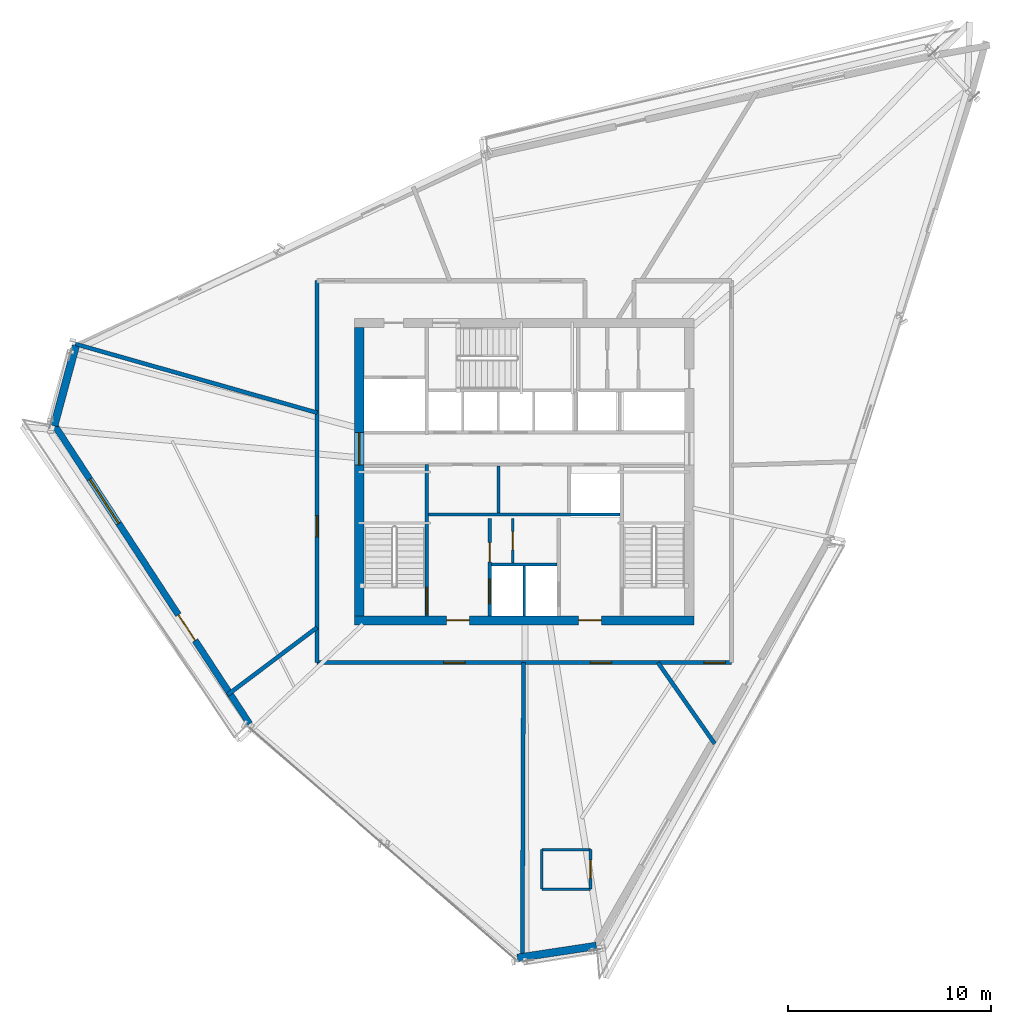
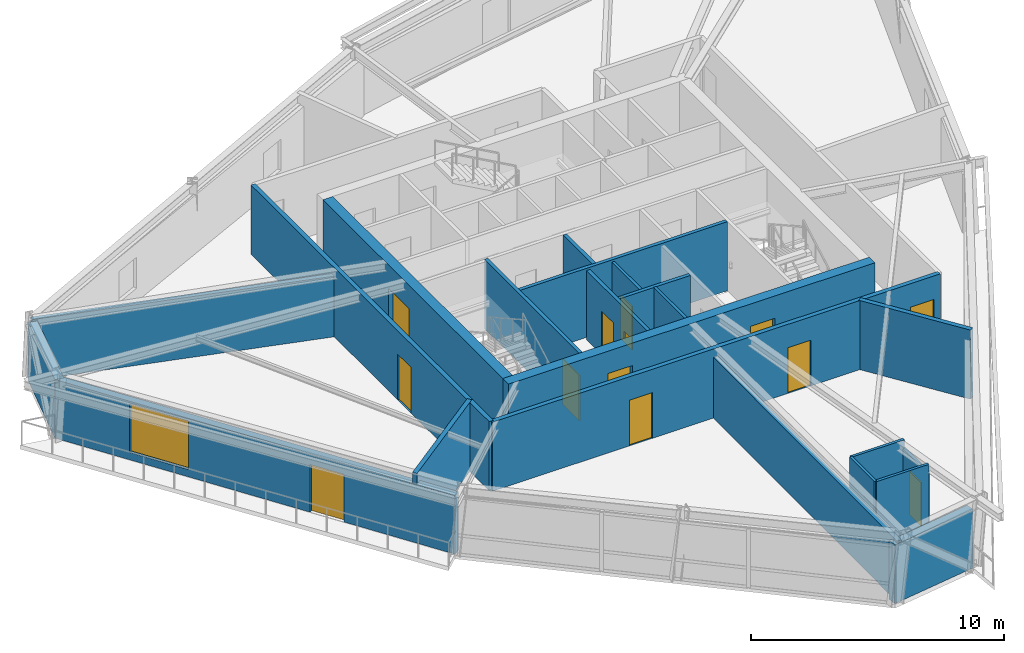
# One storey, part 8 of 13: 22 walls, 13 doors, 1 window, 14 openings.
"""IFC4 building model written with IfcOpenShell, lengths in metres."""

from ifc_helpers import new_model, si_unit, direction, frame, frame_2d, origin, place, context, subcontext, project, spatial, rectangle, extrude, source, transform, mapped, material, layer, layer_set, type_object, type_shapes, element, fill, save


model = new_model("IFC4")

# Units and contexts
model_context = context("Model", 3, precision=1e-05, world=origin(), true_north=direction((0.0, 1.0)))
body_context = subcontext(model_context, "Body", "Model", "MODEL_VIEW")
ifc_project = project(units=[si_unit("LENGTHUNIT", "METRE"), si_unit("AREAUNIT", "SQUARE_METRE"), si_unit("VOLUMEUNIT", "CUBIC_METRE"), si_unit("PLANEANGLEUNIT", "RADIAN"), si_unit("MASSUNIT", "GRAM", prefix="KILO")], contexts=[model_context])

# Site, building, storey
site_placement = place(None, origin())
site = spatial("IfcSite", under=ifc_project, at=site_placement, CompositionType="ELEMENT")
building_placement = place(site_placement, origin())
building = spatial("IfcBuilding", under=site, at=building_placement, Name="Olszyna Solenne Hotel", CompositionType="ELEMENT")
storey_placement = place(building_placement, frame((0.0, 0.0, 209.60009765625)))
storey = spatial("IfcBuildingStorey", under=building, at=storey_placement, Name="L55", CompositionType="ELEMENT", Elevation=209.60009765625)

# Wall, openings, doors
ifc_material_1 = material(Name="Concrete C50/60", Category="concrete")
ifc_layer_1 = layer(ifc_material_1, 0.449951171875, Name="Concrete C50/60")
ifc_layer_set_1 = layer_set([ifc_layer_1], Name="Concrete C50/60")
wall_type_1 = type_object("IfcWallType", Name="WL-CR450", PredefinedType="SHEAR", material=ifc_layer_set_1)
wall_1_placement = place(storey_placement, frame((46.35009765625, 19.27490234375, 0.0), z_axis=(0.0, 0.0, 1.0), x_axis=(-1.0, 0.0, 0.0)))
wall_1 = element("IfcWall", 1, at=wall_1_placement, inside=storey, type_object=wall_type_1, Name="Core shear wall WL-CR450 CRW-L55-S", PredefinedType="SHEAR", context=body_context, shape_type="SweptSolid", body=[
    extrude(rectangle(XDim=16.7001953125, YDim=0.449951171875, at=frame_2d((8.35009765625, 0.0))), origin(), (0.0, 0.0, 1.0), 3.329833984375),
])
opening_1_placement = place(wall_1_placement, frame((4.550048828125, 0.0, 0.0)))
opening_1 = element("IfcOpeningElement", 2, at=opening_1_placement, cuts=wall_1, Name="Opening FL-L55-1", PredefinedType="OPENING", context=body_context, shape_type="SweptSolid", body=[
    extrude(rectangle(XDim=1.1201171875, YDim=2.25, at=frame_2d((0.56005859375, 1.125))), frame((0.0, 0.23486328125, 0.0), z_axis=(0.0, -1.0, 0.0), x_axis=(1.0, 0.0, 0.0)), (0.0, 0.0, 1.0), 0.469970703125),
])
opening_2_placement = place(wall_1_placement, frame((11.050048828125, 0.0, 0.0)))
opening_2 = element("IfcOpeningElement", 3, at=opening_2_placement, cuts=wall_1, Name="Opening FL-L55-2", PredefinedType="OPENING", context=body_context, shape_type="SweptSolid", body=[
    extrude(rectangle(XDim=1.1201171875, YDim=2.25, at=frame_2d((0.56005859375, 1.125))), frame((0.0, 0.23486328125, 0.0), z_axis=(0.0, -1.0, 0.0), x_axis=(1.0, 0.0, 0.0)), (0.0, 0.0, 1.0), 0.469970703125),
])
ifc_material_2 = material(Name="Steel S355J2", Category="steel")
door_type_1 = type_object("IfcDoorType", Name="DR-FL1", OperationType="NOTDEFINED", PredefinedType="DOOR", material=ifc_material_2)
shared_shape_1 = source(origin(), body_context, "Body", "SweptSolid", [
    extrude(rectangle(XDim=1.1201171875, YDim=2.25, at=frame_2d((0.56005859375, 1.125))), frame((0.0, 0.02490234375, 0.0), z_axis=(0.0, -1.0, 0.0), x_axis=(1.0, 0.0, 0.0)), (0.0, 0.0, 1.0), 0.050048828125),
])
type_shapes(door_type_1, [shared_shape_1])
door_1_placement = place(opening_1_placement, origin())
door_1 = element("IfcDoor", 4, at=door_1_placement, inside=storey, type_object=door_type_1, Name="Firefighting lift lobby smoke door FL-L55-1", OperationType="SINGLE_SWING_LEFT", OverallHeight=2.25, OverallWidth=1.1201171875, PredefinedType="DOOR", context=body_context, shape_type="MappedRepresentation", body=[
    mapped(shared_shape_1, transform((0.0, 0.0, 0.0), x_axis=(1.0, 0.0, 0.0), y_axis=(0.0, 1.0, 0.0), z_axis=(0.0, 0.0, 1.0), scale=1.0)),
])
fill(opening_1, door_1)
door_2_placement = place(opening_2_placement, origin())
door_2 = element("IfcDoor", 5, at=door_2_placement, inside=storey, type_object=door_type_1, Name="Firefighting lift lobby smoke door FL-L55-2", OperationType="SINGLE_SWING_RIGHT", OverallHeight=2.25, OverallWidth=1.1201171875, PredefinedType="DOOR", context=body_context, shape_type="MappedRepresentation", body=[
    mapped(shared_shape_1, transform((0.0, 0.0, 0.0), x_axis=(1.0, 0.0, 0.0), y_axis=(0.0, 1.0, 0.0), z_axis=(0.0, 0.0, 1.0), scale=1.0)),
])
fill(opening_2, door_2)

# Wall, opening, door
wall_2_placement = place(storey_placement, frame((29.875, 19.5, 0.0), z_axis=(0.0, 0.0, 1.0), x_axis=(0.0, 1.0, 0.0)))
wall_2 = element("IfcWall", 6, at=wall_2_placement, inside=storey, type_object=wall_type_1, Name="Core shear wall WL-CR450 CRW-L55-W", PredefinedType="SHEAR", context=body_context, shape_type="SweptSolid", body=[
    extrude(rectangle(XDim=14.199951171875, YDim=0.449951171875, at=frame_2d((7.10009765625, 0.0))), origin(), (0.0, 0.0, 1.0), 3.329833984375),
])
opening_3_placement = place(wall_2_placement, frame((7.419921875, 0.0, 0.0)))
opening_3 = element("IfcOpeningElement", 7, at=opening_3_placement, cuts=wall_2, Name="Opening LHD-L55-W", PredefinedType="OPENING", context=body_context, shape_type="SweptSolid", body=[
    extrude(rectangle(XDim=1.60009765625, YDim=2.199951171875, at=frame_2d((0.800048828125, 1.10009765625))), frame((0.0, 0.23486328125, 0.0), z_axis=(0.0, -1.0, 0.0), x_axis=(1.0, 0.0, 0.0)), (0.0, 0.0, 1.0), 0.469970703125),
])
ifc_material_3 = material(Name="Timber hardwood", Category="wood")
door_type_2 = type_object("IfcDoorType", Name="DR-CR1", OperationType="DOUBLE_DOOR_SINGLE_SWING", PredefinedType="DOOR", material=ifc_material_3)
shared_shape_2 = source(origin(), body_context, "Body", "SweptSolid", [
    extrude(rectangle(XDim=1.60009765625, YDim=2.199951171875, at=frame_2d((0.800048828125, 1.10009765625))), frame((0.0, 0.02490234375, 0.0), z_axis=(0.0, -1.0, 0.0), x_axis=(1.0, 0.0, 0.0)), (0.0, 0.0, 1.0), 0.050048828125),
])
type_shapes(door_type_2, [shared_shape_2])
door_3_placement = place(opening_3_placement, origin())
door_3 = element("IfcDoor", 8, at=door_3_placement, inside=storey, type_object=door_type_2, Name="Passenger lift lobby West fire door LHD-L55-W", OperationType="DOUBLE_DOOR_SINGLE_SWING", OverallHeight=2.199951171875, OverallWidth=1.60009765625, PredefinedType="DOOR", context=body_context, shape_type="MappedRepresentation", body=[
    mapped(shared_shape_2, transform((0.0, 0.0, 0.0), x_axis=(1.0, 0.0, 0.0), y_axis=(0.0, 1.0, 0.0), z_axis=(0.0, 0.0, 1.0), scale=1.0)),
])
fill(opening_3, door_3)

# Wall, openings, door, window
ifc_material_4 = material(Name="Precast concrete C45/55", Category="concrete")
ifc_layer_2 = layer(ifc_material_4, 0.320068359375, Name="Precast concrete C45/55")
ifc_layer_set_2 = layer_set([ifc_layer_2], Name="Precast concrete C45/55")
wall_type_2 = type_object("IfcWallType", Name="WL-EX320", PredefinedType="SOLIDWALL", material=ifc_layer_set_2)
wall_3_placement = place(storey_placement, frame((24.481201171875, 14.176025390625, 0.0), z_axis=(0.0, 0.0, 1.0), x_axis=(-0.546955288252, 0.837161819873, 0.0)))
wall_3 = element("IfcWall", 9, at=wall_3_placement, inside=storey, type_object=wall_type_2, Name="Exterior terracotta-precast frame wall WL-EX320 EW-L55-04", PredefinedType="SOLIDWALL", context=body_context, shape_type="SweptSolid", body=[
    extrude(rectangle(XDim=17.695068359375, YDim=0.320068359375, at=frame_2d((8.84765625, 0.0))), origin(), (0.0, 0.0, 1.0), 2.822021484375),
])
opening_4_placement = place(wall_3_placement, frame((4.912109375, 0.0, 0.0)))
opening_4 = element("IfcOpeningElement", 10, at=opening_4_placement, cuts=wall_3, Name="Opening LDG-L55-2", PredefinedType="OPENING", context=body_context, shape_type="SweptSolid", body=[
    extrude(rectangle(XDim=1.5, YDim=2.300048828125, at=frame_2d((0.75, 1.14990234375))), frame((0.0, 0.169921875, 0.0), z_axis=(0.0, -1.0, 0.0), x_axis=(1.0, 0.0, 0.0)), (0.0, 0.0, 1.0), 0.340087890625),
])
opening_5_placement = place(wall_3_placement, frame((11.7939453125, 0.0, 0.35205078125)))
opening_5 = element("IfcOpeningElement", 11, at=opening_5_placement, cuts=wall_3, Name="Opening WN-L55-351", PredefinedType="OPENING", context=body_context, shape_type="SweptSolid", body=[
    extrude(rectangle(XDim=2.60009765625, YDim=2.35009765625, at=frame_2d((1.300048828125, 1.175048828125))), frame((0.0, 0.169921875, 0.0), z_axis=(0.0, -1.0, 0.0), x_axis=(1.0, 0.0, 0.0)), (0.0, 0.0, 1.0), 0.340087890625),
])
ifc_material_5 = material(Name="Anodised bronze aluminium", Category="aluminium")
door_type_3 = type_object("IfcDoorType", Name="DR-LG2", OperationType="DOUBLE_DOOR_SINGLE_SWING", PredefinedType="DOOR", material=ifc_material_5)
shared_shape_3 = source(origin(), body_context, "Body", "SweptSolid", [
    extrude(rectangle(XDim=1.5, YDim=2.300048828125, at=frame_2d((0.75, 1.14990234375))), frame((0.0, 0.02490234375, 0.0), z_axis=(0.0, -1.0, 0.0), x_axis=(1.0, 0.0, 0.0)), (0.0, 0.0, 1.0), 0.050048828125),
])
type_shapes(door_type_3, [shared_shape_3])
door_4_placement = place(opening_4_placement, origin())
door_4 = element("IfcDoor", 12, at=door_4_placement, inside=storey, type_object=door_type_3, Name="Exterior loggia balcony door DR-LG2 LDG-L55-2", OperationType="DOUBLE_DOOR_SINGLE_SWING", OverallHeight=2.300048828125, OverallWidth=1.5, PredefinedType="DOOR", context=body_context, shape_type="MappedRepresentation", body=[
    mapped(shared_shape_3, transform((0.0, 0.0, 0.0), x_axis=(1.0, 0.0, 0.0), y_axis=(0.0, 1.0, 0.0), z_axis=(0.0, 0.0, 1.0), scale=1.0)),
])
fill(opening_4, door_4)
ifc_material_6 = material(Name="Low-E triple glazing", Category="glass")
window_type = type_object("IfcWindowType", Name="WN-ST1", PartitioningType="SINGLE_PANEL", PredefinedType="WINDOW", material=ifc_material_6)
shared_shape_4 = source(origin(), body_context, "Body", "SweptSolid", [
    extrude(rectangle(XDim=2.60009765625, YDim=2.35009765625, at=frame_2d((1.300048828125, 1.175048828125))), frame((0.0, 0.030029296875, 0.0), z_axis=(0.0, -1.0, 0.0), x_axis=(1.0, 0.0, 0.0)), (0.0, 0.0, 1.0), 0.06005859375),
])
type_shapes(window_type, [shared_shape_4])
window_placement = place(opening_5_placement, origin())
window = element("IfcWindow", 13, at=window_placement, inside=storey, type_object=window_type, Name="Loggia room window WN-ST1 WN-L55-351", OverallHeight=2.35009765625, OverallWidth=2.60009765625, PartitioningType="SINGLE_PANEL", PredefinedType="WINDOW", context=body_context, shape_type="MappedRepresentation", body=[
    mapped(shared_shape_4, transform((0.0, 0.0, 0.0), x_axis=(1.0, 0.0, 0.0), y_axis=(0.0, 1.0, 0.0), z_axis=(0.0, 0.0, 1.0), scale=1.0)),
])
fill(opening_5, window)

# Walls
ifc_material_7 = material(Name="Terracotta cladding on precast concrete C45/55", Category="masonry")
ifc_layer_3 = layer(ifc_material_7, 0.3798828125, Name="Terracotta cladding on precast concrete C45/55")
ifc_layer_set_3 = layer_set([ifc_layer_3], Name="Terracotta cladding on precast concrete C45/55")
wall_type_3 = type_object("IfcWallType", Name="WL-EX380", PredefinedType="SOLIDWALL", material=ifc_layer_set_3)
wall_4_placement = place(storey_placement, frame((41.551025390625, 3.24267578125, 0.0), z_axis=(0.0, 0.0, 1.0), x_axis=(-0.988756700012, -0.149533234373, 0.0)))
element("IfcWall", 14, at=wall_4_placement, inside=storey, type_object=wall_type_3, Name="Exterior terracotta-precast frame wall WL-EX380 EW-L55-02", PredefinedType="SOLIDWALL", context=body_context, shape_type="SweptSolid", body=[
    extrude(rectangle(XDim=3.93310546875, YDim=0.3798828125, at=frame_2d((1.966552734375, 0.0))), origin(), (0.0, 0.0, 1.0), 2.822021484375),
])
wall_5_placement = place(storey_placement, frame((14.852294921875, 28.852783203125, 0.0), z_axis=(0.0, 0.0, 1.0), x_axis=(0.26046020021, 0.965484585121, 0.0)))
element("IfcWall", 15, at=wall_5_placement, inside=storey, type_object=wall_type_3, Name="Exterior terracotta-precast frame wall WL-EX380 EW-L55-05", PredefinedType="SOLIDWALL", context=body_context, shape_type="SweptSolid", body=[
    extrude(rectangle(XDim=4.0830078125, YDim=0.3798828125, at=frame_2d((2.04150390625, 0.0))), origin(), (0.0, 0.0, 1.0), 2.822021484375),
])
ifc_material_8 = material(Name="Acoustic gypsum partition", Category="gypsum")
ifc_layer_4 = layer(ifc_material_8, 0.125, Name="Acoustic gypsum partition")
ifc_layer_set_4 = layer_set([ifc_layer_4], Name="Acoustic gypsum partition")
wall_type_4 = type_object("IfcWallType", Name="WL-PT125", PredefinedType="PARTITIONING", material=ifc_layer_set_4)
wall_6_placement = place(storey_placement, frame((38.0, 19.5, 0.0), z_axis=(0.0, 0.0, 1.0), x_axis=(0.0, 1.0, 0.0)))
element("IfcWall", 16, at=wall_6_placement, inside=storey, type_object=wall_type_4, Name="Core shaft compartment wall CW-L55-FFM", PredefinedType="PARTITIONING", context=body_context, shape_type="SweptSolid", body=[
    extrude(rectangle(XDim=2.4599609375, YDim=0.125, at=frame_2d((1.22998046875, 0.0))), origin(), (0.0, 0.0, 1.0), 3.329833984375),
])

# Wall, opening, door
wall_7_placement = place(storey_placement, frame((37.44189453125, 22.10009765625, 0.0), z_axis=(0.0, 0.0, 1.0), x_axis=(0.0, 1.0, 0.0)))
wall_7 = element("IfcWall", 17, at=wall_7_placement, inside=storey, type_object=wall_type_4, Name="Core shaft compartment wall CW-L55-SC3", PredefinedType="PARTITIONING", context=body_context, shape_type="SweptSolid", body=[
    extrude(rectangle(XDim=2.179931640625, YDim=0.125, at=frame_2d((1.08984375, 0.0))), origin(), (0.0, 0.0, 1.0), 3.329833984375),
])
opening_6_placement = place(wall_7_placement, frame((0.64990234375, 0.0, 0.0)))
opening_6 = element("IfcOpeningElement", 18, at=opening_6_placement, cuts=wall_7, Name="Opening SVD-L55-SC3", PredefinedType="OPENING", context=body_context, shape_type="SweptSolid", body=[
    extrude(rectangle(XDim=0.89990234375, YDim=2.10009765625, at=frame_2d((0.449951171875, 1.050048828125))), frame((0.0, 0.072509765625, 0.0), z_axis=(0.0, -1.0, 0.0), x_axis=(1.0, 0.0, 0.0)), (0.0, 0.0, 1.0), 0.14501953125),
])
door_type_4 = type_object("IfcDoorType", Name="DR-WC1", OperationType="NOTDEFINED", PredefinedType="DOOR", material=ifc_material_3)
shared_shape_5 = source(origin(), body_context, "Body", "SweptSolid", [
    extrude(rectangle(XDim=0.89990234375, YDim=2.10009765625, at=frame_2d((0.449951171875, 1.050048828125))), frame((0.0, 0.02490234375, 0.0), z_axis=(0.0, -1.0, 0.0), x_axis=(1.0, 0.0, 0.0)), (0.0, 0.0, 1.0), 0.050048828125),
])
type_shapes(door_type_4, [shared_shape_5])
door_5_placement = place(opening_6_placement, origin())
door_5 = element("IfcDoor", 19, at=door_5_placement, inside=storey, type_object=door_type_4, Name="Trolley bay door SVD-L55-SC3", OperationType="SINGLE_SWING_LEFT", OverallHeight=2.10009765625, OverallWidth=0.89990234375, PredefinedType="DOOR", context=body_context, shape_type="MappedRepresentation", body=[
    mapped(shared_shape_5, transform((0.0, 0.0, 0.0), x_axis=(1.0, 0.0, 0.0), y_axis=(0.0, 1.0, 0.0), z_axis=(0.0, 0.0, 1.0), scale=1.0)),
])
fill(opening_6, door_5)

wall_8_placement = place(storey_placement, frame((41.263916015625, 6.0400390625, 0.0), z_axis=(0.0, 0.0, 1.0), x_axis=(0.0, 1.0, 0.0)))
wall_8 = element("IfcWall", 20, at=wall_8_placement, inside=storey, type_object=wall_type_4, Name="Interior acoustic partition WL-PT125 PW-L55-3079", PredefinedType="PARTITIONING", context=body_context, shape_type="SweptSolid", body=[
    extrude(rectangle(XDim=1.949951171875, YDim=0.125, at=frame_2d((0.97509765625, 0.0))), origin(), (0.0, 0.0, 1.0), 2.9248046875),
])
opening_7_placement = place(wall_8_placement, frame((0.52490234375, 0.0, 0.0)))
opening_7 = element("IfcOpeningElement", 21, at=opening_7_placement, cuts=wall_8, Name="Opening DR-L55-0746", PredefinedType="OPENING", context=body_context, shape_type="SweptSolid", body=[
    extrude(rectangle(XDim=0.89990234375, YDim=2.10009765625, at=frame_2d((0.449951171875, 1.050048828125))), frame((0.0, 0.072509765625, 0.0), z_axis=(0.0, -1.0, 0.0), x_axis=(1.0, 0.0, 0.0)), (0.0, 0.0, 1.0), 0.14501953125),
])
door_6_placement = place(opening_7_placement, origin())
door_6 = element("IfcDoor", 22, at=door_6_placement, inside=storey, type_object=door_type_4, Name="En-Suite Bathroom Door DR-L55-0746", OperationType="SINGLE_SWING_RIGHT", OverallHeight=2.10009765625, OverallWidth=0.89990234375, PredefinedType="DOOR", context=body_context, shape_type="MappedRepresentation", body=[
    mapped(shared_shape_5, transform((0.0, 0.0, 0.0), x_axis=(1.0, 0.0, 0.0), y_axis=(0.0, 1.0, 0.0), z_axis=(0.0, 0.0, 1.0), scale=1.0)),
])
fill(opening_7, door_6)

# Walls
wall_9_placement = place(storey_placement, frame((41.263916015625, 7.989990234375, 0.0), z_axis=(0.0, 0.0, 1.0), x_axis=(-1.0, 0.0, 0.0)))
element("IfcWall", 23, at=wall_9_placement, inside=storey, type_object=wall_type_4, Name="Interior acoustic partition WL-PT125 PW-L55-3080", PredefinedType="PARTITIONING", context=body_context, shape_type="SweptSolid", body=[
    extrude(rectangle(XDim=2.39990234375, YDim=0.125, at=frame_2d((1.199951171875, 0.0))), origin(), (0.0, 0.0, 1.0), 3.329833984375),
])
wall_10_placement = place(storey_placement, frame((38.864013671875, 7.989990234375, 0.0), z_axis=(0.0, 0.0, 1.0), x_axis=(0.0, -1.0, 0.0)))
element("IfcWall", 24, at=wall_10_placement, inside=storey, type_object=wall_type_4, Name="Interior acoustic partition WL-PT125 PW-L55-3081", PredefinedType="PARTITIONING", context=body_context, shape_type="SweptSolid", body=[
    extrude(rectangle(XDim=1.949951171875, YDim=0.125, at=frame_2d((0.97509765625, 0.0))), origin(), (0.0, 0.0, 1.0), 3.329833984375),
])
wall_11_placement = place(storey_placement, frame((38.864013671875, 6.0400390625, 0.0), z_axis=(0.0, 0.0, 1.0), x_axis=(1.0, 0.0, 0.0)))
element("IfcWall", 25, at=wall_11_placement, inside=storey, type_object=wall_type_4, Name="Interior acoustic partition WL-PT125 PW-L55-3082", PredefinedType="PARTITIONING", context=body_context, shape_type="SweptSolid", body=[
    extrude(rectangle(XDim=2.39990234375, YDim=0.125, at=frame_2d((1.199951171875, 0.0))), origin(), (0.0, 0.0, 1.0), 3.329833984375),
])

# Wall, opening, door
ifc_layer_5 = layer(ifc_material_8, 0.159912109375, Name="Acoustic gypsum partition")
ifc_layer_set_5 = layer_set([ifc_layer_5], Name="Acoustic gypsum partition")
wall_type_5 = type_object("IfcWallType", Name="WL-PT160", PredefinedType="PARTITIONING", material=ifc_layer_set_5)
wall_12_placement = place(storey_placement, frame((33.199951171875, 19.5, 0.0), z_axis=(0.0, 0.0, 1.0), x_axis=(0.0, 1.0, 0.0)))
wall_12 = element("IfcWall", 26, at=wall_12_placement, inside=storey, type_object=wall_type_5, Name="Core shaft compartment wall CW-L55-ST1E", PredefinedType="PARTITIONING", context=body_context, shape_type="SweptSolid", body=[
    extrude(rectangle(XDim=7.4599609375, YDim=0.159912109375, at=frame_2d((3.72998046875, 0.0))), origin(), (0.0, 0.0, 1.0), 3.329833984375),
])
opening_8_placement = place(wall_12_placement, frame((0.080078125, 0.0, 0.0)))
opening_8 = element("IfcOpeningElement", 27, at=opening_8_placement, cuts=wall_12, Name="Opening STD-L55-01", PredefinedType="OPENING", context=body_context, shape_type="SweptSolid", body=[
    extrude(rectangle(XDim=1.320068359375, YDim=2.199951171875, at=frame_2d((0.66015625, 1.10009765625))), frame((0.0, 0.08984375, 0.0), z_axis=(0.0, -1.0, 0.0), x_axis=(1.0, 0.0, 0.0)), (0.0, 0.0, 1.0), 0.179931640625),
])
door_type_5 = type_object("IfcDoorType", Name="DR-ST1", OperationType="NOTDEFINED", PredefinedType="DOOR", material=ifc_material_2)
shared_shape_6 = source(origin(), body_context, "Body", "SweptSolid", [
    extrude(rectangle(XDim=1.320068359375, YDim=2.199951171875, at=frame_2d((0.66015625, 1.10009765625))), frame((0.0, 0.02490234375, 0.0), z_axis=(0.0, -1.0, 0.0), x_axis=(1.0, 0.0, 0.0)), (0.0, 0.0, 1.0), 0.050048828125),
])
type_shapes(door_type_5, [shared_shape_6])
door_7_placement = place(opening_8_placement, origin())
door_7 = element("IfcDoor", 28, at=door_7_placement, inside=storey, type_object=door_type_5, Name="Pressurised exit stair ST1 fire door STD-L55-01", OperationType="SINGLE_SWING_LEFT", OverallHeight=2.199951171875, OverallWidth=1.320068359375, PredefinedType="DOOR", context=body_context, shape_type="MappedRepresentation", body=[
    mapped(shared_shape_6, transform((0.0, 0.0, 0.0), x_axis=(1.0, 0.0, 0.0), y_axis=(0.0, 1.0, 0.0), z_axis=(0.0, 0.0, 1.0), scale=1.0)),
])
fill(opening_8, door_7)

# Wall, openings, doors
wall_13_placement = place(storey_placement, frame((36.300048828125, 19.5, 0.0), z_axis=(0.0, 0.0, 1.0), x_axis=(0.0, 1.0, 0.0)))
wall_13 = element("IfcWall", 29, at=wall_13_placement, inside=storey, type_object=wall_type_5, Name="Core shaft compartment wall CW-L55-FF1W", PredefinedType="PARTITIONING", context=body_context, shape_type="SweptSolid", body=[
    extrude(rectangle(XDim=4.780029296875, YDim=0.159912109375, at=frame_2d((2.39013671875, 0.0))), origin(), (0.0, 0.0, 1.0), 3.329833984375),
])
opening_9_placement = place(wall_13_placement, frame((0.60009765625, 0.0, 0.0)))
opening_9 = element("IfcOpeningElement", 30, at=opening_9_placement, cuts=wall_13, Name="Opening LD-L55-FF1", PredefinedType="OPENING", context=body_context, shape_type="SweptSolid", body=[
    extrude(rectangle(XDim=1.199951171875, YDim=2.199951171875, at=frame_2d((0.60009765625, 1.10009765625))), frame((0.0, 0.08984375, 0.0), z_axis=(0.0, -1.0, 0.0), x_axis=(1.0, 0.0, 0.0)), (0.0, 0.0, 1.0), 0.179931640625),
])
opening_10_placement = place(wall_13_placement, frame((2.64990234375, 0.0, 0.0)))
opening_10 = element("IfcOpeningElement", 31, at=opening_10_placement, cuts=wall_13, Name="Opening SVD-L55-SMK", PredefinedType="OPENING", context=body_context, shape_type="SweptSolid", body=[
    extrude(rectangle(XDim=0.949951171875, YDim=2.10009765625, at=frame_2d((0.47509765625, 1.050048828125))), frame((0.0, 0.08984375, 0.0), z_axis=(0.0, -1.0, 0.0), x_axis=(1.0, 0.0, 0.0)), (0.0, 0.0, 1.0), 0.179931640625),
])
door_type_6 = type_object("IfcDoorType", Name="DR-SV1", OperationType="NOTDEFINED", PredefinedType="DOOR", material=ifc_material_2)
shared_shape_7 = source(origin(), body_context, "Body", "SweptSolid", [
    extrude(rectangle(XDim=0.949951171875, YDim=2.10009765625, at=frame_2d((0.47509765625, 1.050048828125))), frame((0.0, 0.02490234375, 0.0), z_axis=(0.0, -1.0, 0.0), x_axis=(1.0, 0.0, 0.0)), (0.0, 0.0, 1.0), 0.050048828125),
])
type_shapes(door_type_6, [shared_shape_7])
door_8_placement = place(opening_10_placement, origin())
door_8 = element("IfcDoor", 32, at=door_8_placement, inside=storey, type_object=door_type_6, Name="Valet and core service room door SVD-L55-SMK", OperationType="SINGLE_SWING_LEFT", OverallHeight=2.10009765625, OverallWidth=0.949951171875, PredefinedType="DOOR", context=body_context, shape_type="MappedRepresentation", body=[
    mapped(shared_shape_7, transform((0.0, 0.0, 0.0), x_axis=(1.0, 0.0, 0.0), y_axis=(0.0, 1.0, 0.0), z_axis=(0.0, 0.0, 1.0), scale=1.0)),
])
fill(opening_10, door_8)
door_type_7 = type_object("IfcDoorType", Name="LD-FF1", OperationType="DOUBLE_DOOR_SLIDING", PredefinedType="DOOR", material=ifc_material_2)
shared_shape_8 = source(origin(), body_context, "Body", "SweptSolid", [
    extrude(rectangle(XDim=1.199951171875, YDim=2.199951171875, at=frame_2d((0.60009765625, 1.10009765625))), frame((0.0, 0.02490234375, 0.0), z_axis=(0.0, -1.0, 0.0), x_axis=(1.0, 0.0, 0.0)), (0.0, 0.0, 1.0), 0.050048828125),
])
type_shapes(door_type_7, [shared_shape_8])
door_9_placement = place(opening_9_placement, origin())
door_9 = element("IfcDoor", 33, at=door_9_placement, inside=storey, type_object=door_type_7, Name="Firefighters lift FF1 sliding landing door LD-L55-FF1", OperationType="DOUBLE_DOOR_SLIDING", OverallHeight=2.199951171875, OverallWidth=1.199951171875, PredefinedType="DOOR", context=body_context, shape_type="MappedRepresentation", body=[
    mapped(shared_shape_8, transform((0.0, 0.0, 0.0), x_axis=(1.0, 0.0, 0.0), y_axis=(0.0, 1.0, 0.0), z_axis=(0.0, 0.0, 1.0), scale=1.0)),
])
fill(opening_9, door_9)

# Walls
wall_14_placement = place(storey_placement, frame((36.3798828125, 22.02001953125, 0.0), z_axis=(0.0, 0.0, 1.0), x_axis=(1.0, 0.0, 0.0)))
element("IfcWall", 34, at=wall_14_placement, inside=storey, type_object=wall_type_5, Name="Core shaft compartment wall CW-L55-FFN", PredefinedType="PARTITIONING", context=body_context, shape_type="SweptSolid", body=[
    extrude(rectangle(XDim=3.240234375, YDim=0.159912109375, at=frame_2d((1.6201171875, 0.0))), origin(), (0.0, 0.0, 1.0), 3.329833984375),
])
wall_15_placement = place(storey_placement, frame((33.280029296875, 24.489990234375, 0.0), z_axis=(0.0, 0.0, 1.0), x_axis=(1.0, 0.0, 0.0)))
element("IfcWall", 35, at=wall_15_placement, inside=storey, type_object=wall_type_5, Name="Core shaft compartment wall CW-L55-FFBN", PredefinedType="PARTITIONING", context=body_context, shape_type="SweptSolid", body=[
    extrude(rectangle(XDim=9.43994140625, YDim=0.159912109375, at=frame_2d((4.719970703125, 0.0))), origin(), (0.0, 0.0, 1.0), 3.329833984375),
])
wall_16_placement = place(storey_placement, frame((36.72998046875, 24.56005859375, 0.0), z_axis=(0.0, 0.0, 1.0), x_axis=(0.0, 1.0, 0.0)))
element("IfcWall", 36, at=wall_16_placement, inside=storey, type_object=wall_type_5, Name="Core shaft compartment wall CW-L55-LV7DIV1", PredefinedType="PARTITIONING", context=body_context, shape_type="SweptSolid", body=[
    extrude(rectangle(XDim=2.31005859375, YDim=0.159912109375, at=frame_2d((1.155029296875, 0.0))), origin(), (0.0, 0.0, 1.0), 3.329833984375),
])
ifc_layer_6 = layer(ifc_material_8, 0.199951171875, Name="Acoustic gypsum partition")
ifc_layer_set_6 = layer_set([ifc_layer_6], Name="Acoustic gypsum partition")
wall_type_6 = type_object("IfcWallType", Name="WL-PT200", PredefinedType="PARTITIONING", material=ifc_layer_set_6)
wall_17_placement = place(storey_placement, frame((44.58203125, 17.199951171875, 0.0), z_axis=(0.0, 0.0, 1.0), x_axis=(0.573549703619, -0.8191707621, 0.0)))
element("IfcWall", 37, at=wall_17_placement, inside=storey, type_object=wall_type_6, Name="Interior acoustic partition WL-PT200 PW-L55-3071", PredefinedType="PARTITIONING", context=body_context, shape_type="SweptSolid", body=[
    extrude(rectangle(XDim=4.87646484375, YDim=0.199951171875, at=frame_2d((2.438232421875, 0.0))), origin(), (0.0, 0.0, 1.0), 3.329833984375),
])
wall_18_placement = place(storey_placement, frame((27.800048828125, 29.499755859375, 0.0), z_axis=(0.0, 0.0, 1.0), x_axis=(-0.961890693006, 0.273434260306, 0.0)))
element("IfcWall", 38, at=wall_18_placement, inside=storey, type_object=wall_type_6, Name="Interior acoustic partition WL-PT200 PW-L55-3076", PredefinedType="PARTITIONING", context=body_context, shape_type="SweptSolid", body=[
    extrude(rectangle(XDim=12.380615234375, YDim=0.199951171875, at=frame_2d((6.1904296875, 0.0))), origin(), (0.0, 0.0, 1.0), 2.9248046875),
])
wall_19_placement = place(storey_placement, frame((27.800048828125, 18.92578125, 0.0), z_axis=(0.0, 0.0, 1.0), x_axis=(-0.799112551023, -0.60118144582, 0.0)))
element("IfcWall", 39, at=wall_19_placement, inside=storey, type_object=wall_type_6, Name="Interior acoustic partition WL-PT200 PW-L55-3077", PredefinedType="PARTITIONING", context=body_context, shape_type="SweptSolid", body=[
    extrude(rectangle(XDim=5.5185546875, YDim=0.199951171875, at=frame_2d((2.75927734375, 0.0))), origin(), (0.0, 0.0, 1.0), 3.329833984375),
])
wall_20_placement = place(storey_placement, frame((37.96435546875, 17.199951171875, 0.0), z_axis=(0.0, 0.0, 1.0), x_axis=(-0.003794344368, -0.999992801449, 0.0)))
element("IfcWall", 40, at=wall_20_placement, inside=storey, type_object=wall_type_6, Name="Interior acoustic partition WL-PT200 PW-L55-3078", PredefinedType="PARTITIONING", context=body_context, shape_type="SweptSolid", body=[
    extrude(rectangle(XDim=14.670166015625, YDim=0.199951171875, at=frame_2d((7.3349609375, 0.0))), origin(), (0.0, 0.0, 1.0), 2.9248046875),
])

# Wall, openings, doors
wall_21_placement = place(storey_placement, frame((27.800048828125, 17.199951171875, 0.0), z_axis=(0.0, 0.0, 1.0), x_axis=(1.0, 0.0, 0.0)))
wall_21 = element("IfcWall", 41, at=wall_21_placement, inside=storey, type_object=wall_type_6, Name="Interior acoustic partition WL-PT200 PW-L55-3083", PredefinedType="PARTITIONING", context=body_context, shape_type="SweptSolid", body=[
    extrude(rectangle(XDim=20.39990234375, YDim=0.199951171875, at=frame_2d((10.199951171875, 0.0))), origin(), (0.0, 0.0, 1.0), 3.329833984375),
])
opening_11_placement = place(wall_21_placement, frame((19.050048828125, 0.0, 0.0)))
opening_11 = element("IfcOpeningElement", 42, at=opening_11_placement, cuts=wall_21, Name="Opening DR-L55-0747", PredefinedType="OPENING", context=body_context, shape_type="SweptSolid", body=[
    extrude(rectangle(XDim=1.050048828125, YDim=2.199951171875, at=frame_2d((0.52490234375, 1.10009765625))), frame((0.0, 0.10986328125, 0.0), z_axis=(0.0, -1.0, 0.0), x_axis=(1.0, 0.0, 0.0)), (0.0, 0.0, 1.0), 0.219970703125),
])
opening_12_placement = place(wall_21_placement, frame((6.236083984375, 0.0, 0.0)))
opening_12 = element("IfcOpeningElement", 43, at=opening_12_placement, cuts=wall_21, Name="Opening DR-L55-0748", PredefinedType="OPENING", context=body_context, shape_type="SweptSolid", body=[
    extrude(rectangle(XDim=1.050048828125, YDim=2.199951171875, at=frame_2d((0.52490234375, 1.10009765625))), frame((0.0, 0.10986328125, 0.0), z_axis=(0.0, -1.0, 0.0), x_axis=(1.0, 0.0, 0.0)), (0.0, 0.0, 1.0), 0.219970703125),
])
opening_13_placement = place(wall_21_placement, frame((13.4580078125, 0.0, 0.0)))
opening_13 = element("IfcOpeningElement", 44, at=opening_13_placement, cuts=wall_21, Name="Opening DR-L55-0749", PredefinedType="OPENING", context=body_context, shape_type="SweptSolid", body=[
    extrude(rectangle(XDim=1.050048828125, YDim=2.199951171875, at=frame_2d((0.52490234375, 1.10009765625))), frame((0.0, 0.10986328125, 0.0), z_axis=(0.0, -1.0, 0.0), x_axis=(1.0, 0.0, 0.0)), (0.0, 0.0, 1.0), 0.219970703125),
])
door_type_8 = type_object("IfcDoorType", Name="DR-RM2", OperationType="NOTDEFINED", PredefinedType="DOOR", material=ifc_material_3)
shared_shape_9 = source(origin(), body_context, "Body", "SweptSolid", [
    extrude(rectangle(XDim=1.050048828125, YDim=2.199951171875, at=frame_2d((0.52490234375, 1.10009765625))), frame((0.0, 0.02490234375, 0.0), z_axis=(0.0, -1.0, 0.0), x_axis=(1.0, 0.0, 0.0)), (0.0, 0.0, 1.0), 0.050048828125),
])
type_shapes(door_type_8, [shared_shape_9])
door_10_placement = place(opening_11_placement, origin())
door_10 = element("IfcDoor", 45, at=door_10_placement, inside=storey, type_object=door_type_8, Name="Executive Club Lounge Entrance Door DR-L55-0747", OperationType="SINGLE_SWING_RIGHT", OverallHeight=2.199951171875, OverallWidth=1.050048828125, PredefinedType="DOOR", context=body_context, shape_type="MappedRepresentation", body=[
    mapped(shared_shape_9, transform((0.0, 0.0, 0.0), x_axis=(1.0, 0.0, 0.0), y_axis=(0.0, 1.0, 0.0), z_axis=(0.0, 0.0, 1.0), scale=1.0)),
])
fill(opening_11, door_10)
door_11_placement = place(opening_12_placement, origin())
door_11 = element("IfcDoor", 46, at=door_11_placement, inside=storey, type_object=door_type_8, Name="Conference Boardroom Entrance Door DR-L55-0748", OperationType="SINGLE_SWING_LEFT", OverallHeight=2.199951171875, OverallWidth=1.050048828125, PredefinedType="DOOR", context=body_context, shape_type="MappedRepresentation", body=[
    mapped(shared_shape_9, transform((0.0, 0.0, 0.0), x_axis=(1.0, 0.0, 0.0), y_axis=(0.0, 1.0, 0.0), z_axis=(0.0, 0.0, 1.0), scale=1.0)),
])
fill(opening_12, door_11)
door_12_placement = place(opening_13_placement, origin())
door_12 = element("IfcDoor", 47, at=door_12_placement, inside=storey, type_object=door_type_8, Name="Executive Reading Salon Entrance Door DR-L55-0749", OperationType="SINGLE_SWING_RIGHT", OverallHeight=2.199951171875, OverallWidth=1.050048828125, PredefinedType="DOOR", context=body_context, shape_type="MappedRepresentation", body=[
    mapped(shared_shape_9, transform((0.0, 0.0, 0.0), x_axis=(1.0, 0.0, 0.0), y_axis=(0.0, 1.0, 0.0), z_axis=(0.0, 0.0, 1.0), scale=1.0)),
])
fill(opening_13, door_12)

# Wall, opening, door
wall_22_placement = place(storey_placement, frame((27.800048828125, 17.199951171875, 0.0), z_axis=(0.0, 0.0, 1.0), x_axis=(0.0, 1.0, 0.0)))
wall_22 = element("IfcWall", 48, at=wall_22_placement, inside=storey, type_object=wall_type_6, Name="Interior acoustic partition WL-PT200 PW-L55-3084", PredefinedType="PARTITIONING", context=body_context, shape_type="SweptSolid", body=[
    extrude(rectangle(XDim=18.800048828125, YDim=0.199951171875, at=frame_2d((9.39990234375, 0.0))), origin(), (0.0, 0.0, 1.0), 3.329833984375),
])
opening_14_placement = place(wall_22_placement, frame((6.180908203125, 0.0, 0.0)))
opening_14 = element("IfcOpeningElement", 49, at=opening_14_placement, cuts=wall_22, Name="Opening DR-L55-0750", PredefinedType="OPENING", context=body_context, shape_type="SweptSolid", body=[
    extrude(rectangle(XDim=1.050048828125, YDim=2.199951171875, at=frame_2d((0.52490234375, 1.10009765625))), frame((0.0, 0.10986328125, 0.0), z_axis=(0.0, -1.0, 0.0), x_axis=(1.0, 0.0, 0.0)), (0.0, 0.0, 1.0), 0.219970703125),
])
door_13_placement = place(opening_14_placement, origin())
door_13 = element("IfcDoor", 50, at=door_13_placement, inside=storey, type_object=door_type_8, Name="Conference Boardroom Entrance Door DR-L55-0750", OperationType="SINGLE_SWING_RIGHT", OverallHeight=2.199951171875, OverallWidth=1.050048828125, PredefinedType="DOOR", context=body_context, shape_type="MappedRepresentation", body=[
    mapped(shared_shape_9, transform((0.0, 0.0, 0.0), x_axis=(1.0, 0.0, 0.0), y_axis=(0.0, 1.0, 0.0), z_axis=(0.0, 0.0, 1.0), scale=1.0)),
])
fill(opening_14, door_13)

save(model, "model.ifc")
